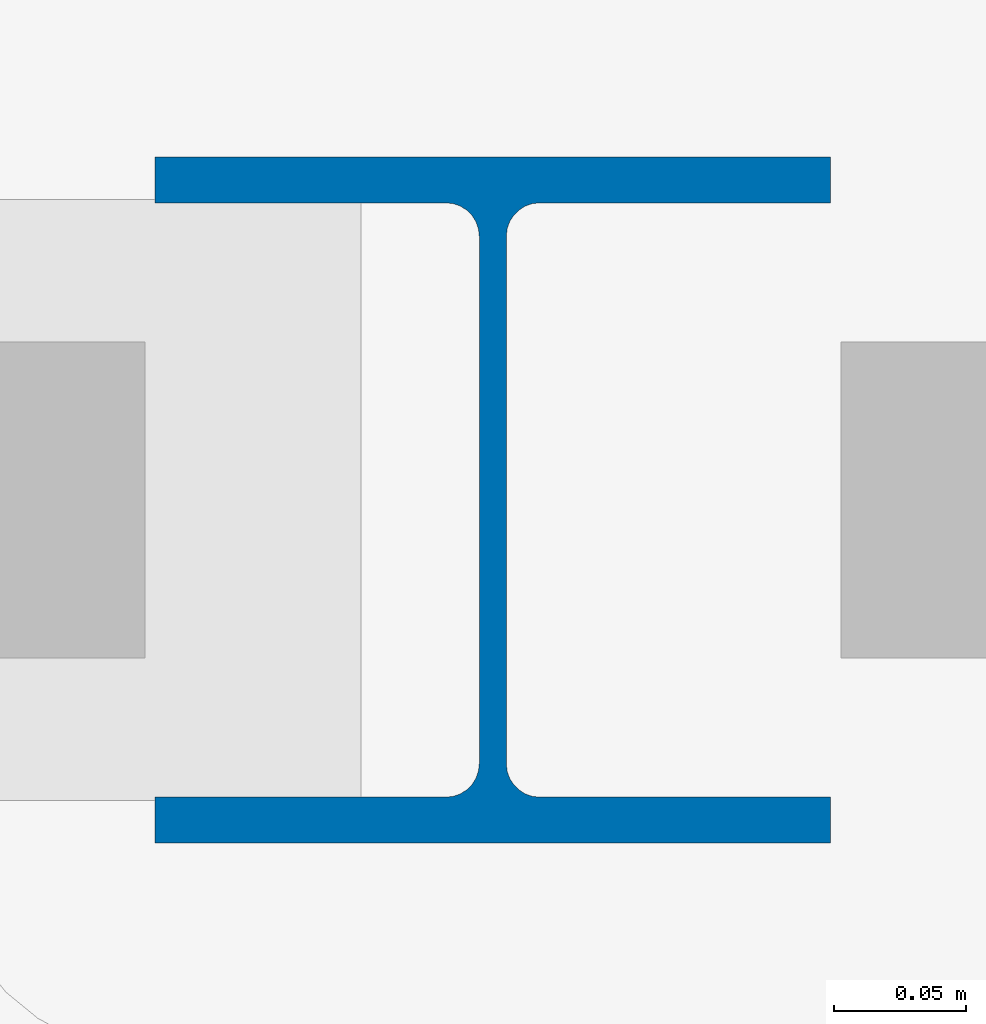
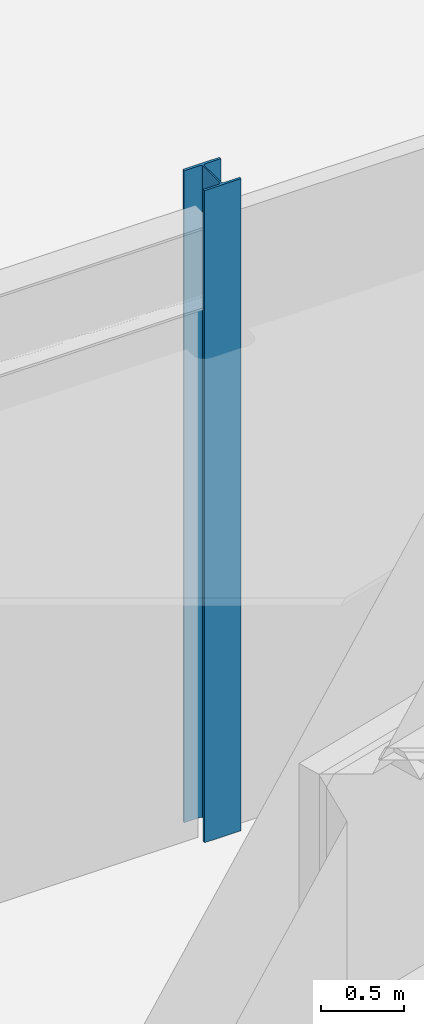
# One storey, part 7 of 86: 1 column.
"""IFC4 building model written with IfcOpenShell, lengths in metres."""

from ifc_helpers import new_model, si_unit, direction, frame, origin, origin_2d, place, context, subcontext, project, spatial, i_section, extrude, material, material_profile, profile_set, type_object, element, save


model = new_model("IFC4")

# Units and contexts
model_context = context("Model", 3, precision=1e-05, world=origin(), true_north=direction((0.0, 1.0)))
body_context = subcontext(model_context, "Body", "Model", "MODEL_VIEW")
ifc_project = project(units=[si_unit("LENGTHUNIT", "METRE"), si_unit("AREAUNIT", "SQUARE_METRE"), si_unit("VOLUMEUNIT", "CUBIC_METRE"), si_unit("PLANEANGLEUNIT", "RADIAN"), si_unit("MASSUNIT", "GRAM", prefix="KILO")], contexts=[model_context])

# Site, building, storey
site_placement = place(None, origin())
site = spatial("IfcSite", under=ifc_project, at=site_placement, CompositionType="ELEMENT")
building_placement = place(site_placement, origin())
building = spatial("IfcBuilding", under=site, at=building_placement, Name="Glasvene Arena", CompositionType="ELEMENT")
storey_placement = place(building_placement, frame((0.0, 0.0, 5.39990234375)))
storey = spatial("IfcBuildingStorey", under=building, at=storey_placement, Name="L01", CompositionType="ELEMENT", Elevation=5.39990234375)

# Column
ifc_material = material(Name="Steel S355J2", Category="steel")
ifc_material_profile = material_profile(ifc_material, i_section(OverallWidth=0.25634765625, OverallDepth=0.26025390625, WebThickness=0.01025390625, FlangeThickness=0.017333984375, FilletRadius=0.0126953125, at=origin_2d()), Name="UKC 254x254x89")
ifc_profile_set = profile_set([ifc_material_profile], Name="Steel S355J2")
column_type = type_object("IfcColumnType", Name="COL-W-UKC89", PredefinedType="COLUMN", material=ifc_profile_set)
column_placement = place(storey_placement, frame((120.0, 27.0, 0.0), z_axis=(0.0, 0.0, 1.0), x_axis=(1.0, 0.0, 0.0)))
element("IfcColumn", 1, at=column_placement, inside=storey, type_object=column_type, Name="Grid column 14-4 L01", PredefinedType="COLUMN", context=body_context, shape_type="SweptSolid", body=[
    extrude(i_section(OverallWidth=0.25634765625, OverallDepth=0.26025390625, WebThickness=0.01025390625, FlangeThickness=0.017333984375, FilletRadius=0.0126953125, at=origin_2d()), origin(), (0.0, 0.0, 1.0), 4.800048828125),
])

save(model, "model.ifc")
